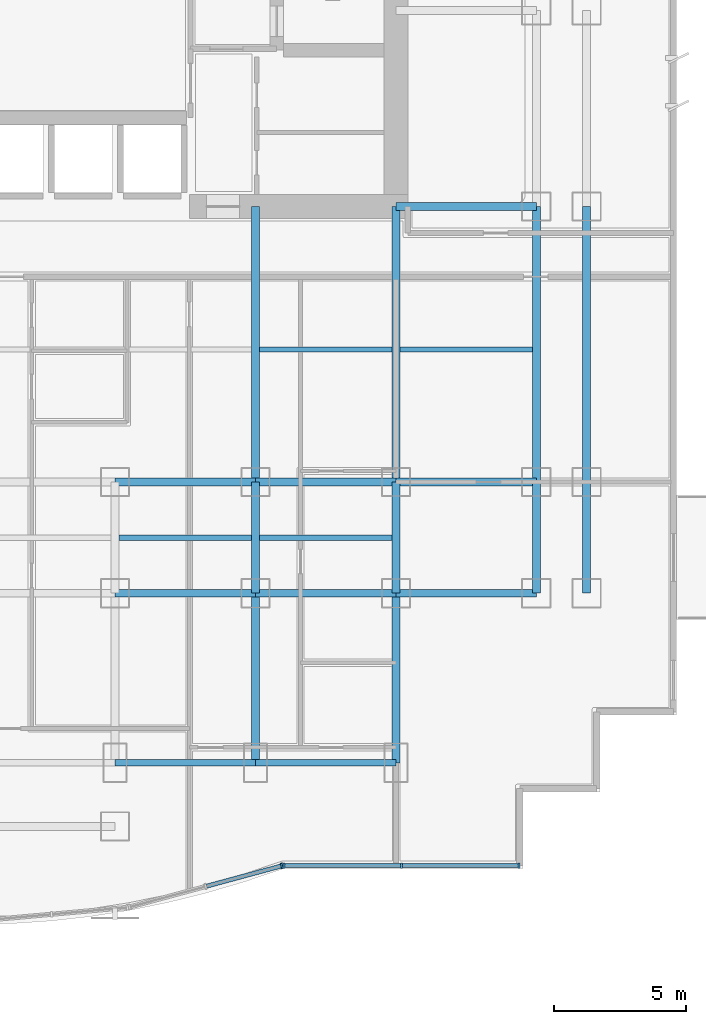
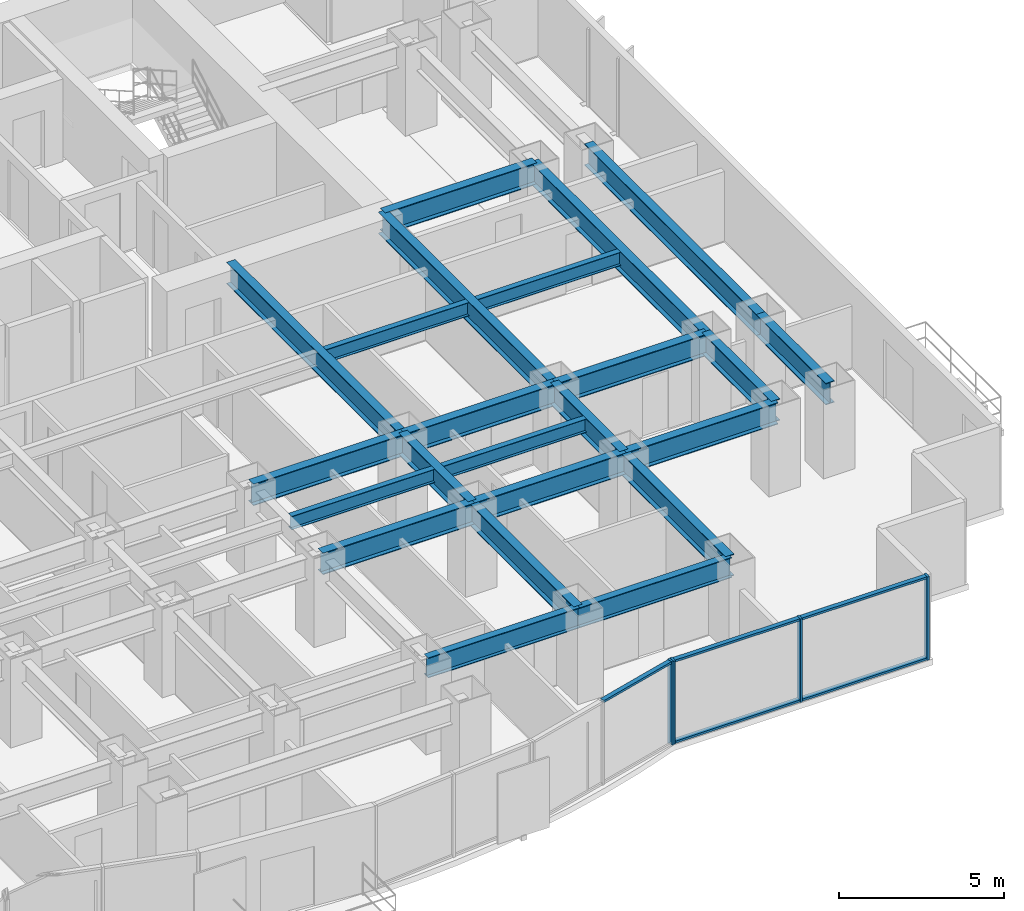
# One storey, part 3 of 10: 23 beams, 9 members, 2 elements without a shape of their own.
"""IFC4 building model written with IfcOpenShell, lengths in metres."""

import ifcopenshell
import ifcopenshell.guid

model = None  # the IFC model being written
_history = None  # IfcOwnerHistory: only IFC2X3 demands one
_inside = {}  # id of a spatial element -> (the spatial element, [elements in it])
_under = {}  # id of a project, library or spatial element -> (it, [spatial elements below it])
_declared = {}  # id of a project -> (the project, [libraries it declares])
_typed = {}  # id of a type object -> (the type object, [elements of that type])
_made_of = {}  # id of a material, layer set ... -> (it, [elements and type objects made of it])


def new_model(schema):
    """Start an empty IFC model of exactly this schema.

    Asked for "IFC4X3", IfcOpenShell would pick the latest addendum, in which some entities
    have other attributes; the version numbers below select the first issue.
    IFC2X3 requires an IfcOwnerHistory on every rooted entity: one is made here for all.
    """
    global model, _history
    if schema == "IFC4X3":
        model = ifcopenshell.file(schema_version=(4, 3, 0, 0))
    else:
        model = ifcopenshell.file(schema=schema)
    _inside.clear()
    _under.clear()
    _declared.clear()
    _typed.clear()
    _made_of.clear()
    _history = None
    if model.schema == "IFC2X3":
        org = make("IfcOrganization", Name="unknown")
        user = make(
            "IfcPersonAndOrganization",
            ThePerson=make("IfcPerson", FamilyName="unknown"),
            TheOrganization=org,
        )
        app = make(
            "IfcApplication",
            ApplicationDeveloper=org,
            Version="unknown",
            ApplicationFullName="unknown",
            ApplicationIdentifier="unknown",
        )
        _history = make(
            "IfcOwnerHistory",
            OwningUser=user,
            OwningApplication=app,
            ChangeAction="ADDED",
            CreationDate=0,
        )
    return model


def make(cls, **values):
    """One entity of the class cls with the attributes given. An attribute that is None is left unset."""
    return model.create_entity(
        cls, **{name: value for name, value in values.items() if value is not None}
    )


def rooted(cls, **values):
    """An entity with a GlobalId (a new one), such as an element, a storey or a relation."""
    return make(cls, GlobalId=ifcopenshell.guid.new(), OwnerHistory=_history, **values)


def si_unit(unit_type, name, prefix=None):
    """IfcSIUnit, for example si_unit("LENGTHUNIT", "METRE", prefix="MILLI")."""
    return make("IfcSIUnit", UnitType=unit_type, Prefix=prefix, Name=name)


def assignment(units):
    """IfcUnitAssignment: the units of a project."""
    return None if units is None else make("IfcUnitAssignment", Units=units)


def point(xyz):
    """IfcCartesianPoint."""
    return None if xyz is None else make("IfcCartesianPoint", Coordinates=xyz)


def direction(xyz):
    """IfcDirection."""
    return None if xyz is None else make("IfcDirection", DirectionRatios=xyz)


def frame(location, z_axis=None, x_axis=None):
    """IfcAxis2Placement3D, a coordinate frame: its origin and axes. An axis left out is left unset."""
    return make(
        "IfcAxis2Placement3D",
        Location=point(location),
        Axis=direction(z_axis),
        RefDirection=direction(x_axis),
    )


def frame_2d(location, x_axis=None):
    """IfcAxis2Placement2D, a coordinate frame in the plane: its origin and x axis."""
    return make(
        "IfcAxis2Placement2D", Location=point(location), RefDirection=direction(x_axis)
    )


def origin():
    """The frame at (0, 0, 0) with its axes left unset."""
    return frame((0.0, 0.0, 0.0))


def origin_2d():
    """The frame at (0, 0) in the plane with its x axis left unset."""
    return frame_2d((0.0, 0.0))


def place(relative_to, where):
    """IfcLocalPlacement: puts the frame where relative to a parent placement (None: the world)."""
    return make(
        "IfcLocalPlacement", PlacementRelTo=relative_to, RelativePlacement=where
    )


def context(
    kind, dimensions, precision=None, world=None, true_north=None, identifier=None
):
    """IfcGeometricRepresentationContext, for example the 3D "Model" context."""
    return make(
        "IfcGeometricRepresentationContext",
        ContextIdentifier=identifier,
        ContextType=kind,
        CoordinateSpaceDimension=dimensions,
        Precision=precision,
        WorldCoordinateSystem=world,
        TrueNorth=true_north,
    )


def subcontext(parent, identifier, kind, view, scale=None):
    """IfcGeometricRepresentationSubContext, for example "Body" below "Model"."""
    return make(
        "IfcGeometricRepresentationSubContext",
        ContextIdentifier=identifier,
        ContextType=kind,
        ParentContext=parent,
        TargetScale=scale,
        TargetView=view,
    )


def project(units=None, contexts=None):
    """IfcProject with its units and contexts."""
    return rooted(
        "IfcProject",
        Name="project",
        RepresentationContexts=contexts,
        UnitsInContext=assignment(units),
    )


def spatial(cls, under=None, at=None, **own):
    """A site, building, storey or space (cls), placed at a placement, below another one or the project."""
    s = rooted(cls, ObjectPlacement=at, **own)
    if under is not None:
        _under.setdefault(under.id(), (under, []))[1].append(s)
    return s


def profile(cls, at=None, kind="AREA", **sizes):
    """A parametric profile (cls). Its sizes go by their IFC names, for example OverallWidth=200.0."""
    return make(cls, ProfileType=kind, Position=at, **sizes)


def rectangle(**sizes):
    """IfcRectangleProfileDef."""
    return profile("IfcRectangleProfileDef", **sizes)


def i_section(**sizes):
    """IfcIShapeProfileDef."""
    return profile("IfcIShapeProfileDef", **sizes)


def extrude(swept, where, along, depth):
    """IfcExtrudedAreaSolid: the profile swept, set in the frame where, extruded along a direction by depth."""
    return make(
        "IfcExtrudedAreaSolid",
        SweptArea=swept,
        Position=where,
        ExtrudedDirection=direction(along),
        Depth=depth,
    )


def shape(context_of_items, identifier, shape_type, items):
    """IfcShapeRepresentation: the items that make up one representation, for example the "Body"."""
    return make(
        "IfcShapeRepresentation",
        ContextOfItems=context_of_items,
        RepresentationIdentifier=identifier,
        RepresentationType=shape_type,
        Items=items,
    )


def source(mapping_origin, context_of_items, identifier, shape_type, items):
    """IfcRepresentationMap: a shape defined once, which mapped items show again and again."""
    return make(
        "IfcRepresentationMap",
        MappingOrigin=mapping_origin,
        MappedRepresentation=shape(context_of_items, identifier, shape_type, items),
    )


def transform(
    local_origin,
    x_axis=None,
    y_axis=None,
    z_axis=None,
    scale=None,
    scale2=None,
    scale3=None,
    uniform=True,
):
    """IfcCartesianTransformationOperator3D, or its non-uniform kind. x_axis, y_axis, z_axis: its Axis1, 2, 3."""
    if uniform:
        return make(
            "IfcCartesianTransformationOperator3D",
            Axis1=direction(x_axis),
            Axis2=direction(y_axis),
            LocalOrigin=point(local_origin),
            Scale=scale,
            Axis3=direction(z_axis),
        )
    return make(
        "IfcCartesianTransformationOperator3DnonUniform",
        Axis1=direction(x_axis),
        Axis2=direction(y_axis),
        LocalOrigin=point(local_origin),
        Scale=scale,
        Axis3=direction(z_axis),
        Scale2=scale2,
        Scale3=scale3,
    )


def mapped(mapping_source, mapping_target):
    """IfcMappedItem: shows the shape of a source again, moved by a transform."""
    return make(
        "IfcMappedItem", MappingSource=mapping_source, MappingTarget=mapping_target
    )


def material(Name=None, Category=None):
    """IfcMaterial."""
    return make("IfcMaterial", Name=Name, Category=Category)


def layer(
    of_material, thickness, ventilated=None, Name=None, Category=None, Priority=None
):
    """IfcMaterialLayer: one layer of a wall or slab, of a material (None: an air gap)."""
    return make(
        "IfcMaterialLayer",
        Material=of_material,
        LayerThickness=thickness,
        IsVentilated=ventilated,
        Name=Name,
        Category=Category,
        Priority=Priority,
    )


def layer_set(layers, Name=None):
    """IfcMaterialLayerSet."""
    return make("IfcMaterialLayerSet", MaterialLayers=layers, LayerSetName=Name)


def material_profile(
    of_material, cross_section, Name=None, Category=None, Priority=None
):
    """IfcMaterialProfile: a cross section and its material."""
    return make(
        "IfcMaterialProfile",
        Name=Name,
        Material=of_material,
        Profile=cross_section,
        Priority=Priority,
        Category=Category,
    )


def profile_set(profiles, Name=None, composite=None):
    """IfcMaterialProfileSet."""
    return make(
        "IfcMaterialProfileSet",
        Name=Name,
        MaterialProfiles=profiles,
        CompositeProfile=composite,
    )


def made_of(thing, what):
    """Note that an element or type object is made of a material, layer set ...; save() writes the relation."""
    if what is not None:
        _made_of.setdefault(what.id(), (what, []))[1].append(thing)
    return thing


def type_object(cls, material=None, **own):
    """A type object (cls), such as IfcWallType, which elements share."""
    return made_of(rooted(cls, **own), material)


def element(
    cls,
    number,
    at=None,
    inside=None,
    cuts=None,
    type_object=None,
    material=None,
    context=None,
    identifier="Body",
    shape_type=None,
    held_by="IfcProductDefinitionShape",
    body=None,
    shapes=None,
    **own,
):
    """One element of the class cls, such as IfcWall. Its Tag is "e" and its number.

    at: its placement. inside: the storey or other place that contains it. cuts: it is an
    opening in that element (IfcRelVoidsElement). A single representation is given by context,
    identifier, shape_type and body (its items); several are given by shapes. held_by: the class
    of the entity that holds the representations. save() writes the other relations.
    """
    e = rooted(cls, Tag="e%d" % number, ObjectPlacement=at, **own)
    if body is not None:
        shapes = [shape(context, identifier, shape_type, body)]
    if shapes is not None:
        e.Representation = make(held_by, Representations=shapes)
    if inside is not None:
        _inside.setdefault(inside.id(), (inside, []))[1].append(e)
    if cuts is not None:
        rooted(
            "IfcRelVoidsElement", RelatingBuildingElement=cuts, RelatedOpeningElement=e
        )
    if type_object is not None:
        _typed.setdefault(type_object.id(), (type_object, []))[1].append(e)
    return made_of(e, material)


def aggregate(whole, parts):
    """IfcRelAggregates: a whole, such as a stair, and the parts it consists of."""
    return rooted("IfcRelAggregates", RelatingObject=whole, RelatedObjects=parts)


def save(model, path):
    """Write the relations noted so far, then the file.

    IfcRelAggregates (storeys below a building ...), IfcRelContainedInSpatialStructure (elements
    in a storey), IfcRelDefinesByType, IfcRelAssociatesMaterial and IfcRelDeclares: one each for
    every whole, place, type object, material and project.
    """
    for whole, parts in _under.values():
        aggregate(whole, parts)
    for where, things in _inside.values():
        rooted(
            "IfcRelContainedInSpatialStructure",
            RelatedElements=things,
            RelatingStructure=where,
        )
    for kind, things in _typed.values():
        rooted("IfcRelDefinesByType", RelatedObjects=things, RelatingType=kind)
    for what, things in _made_of.values():
        rooted("IfcRelAssociatesMaterial", RelatedObjects=things, RelatingMaterial=what)
    for by, libraries in _declared.values():
        rooted("IfcRelDeclares", RelatingContext=by, RelatedDefinitions=libraries)
    model.write(path)


model = new_model("IFC4")

# Units and contexts
model_context = context("Model", 3, precision=1e-05, world=origin(), true_north=direction((0.0, 1.0)))
body_context = subcontext(model_context, "Body", "Model", "MODEL_VIEW")
ifc_project = project(units=[si_unit("LENGTHUNIT", "METRE"), si_unit("AREAUNIT", "SQUARE_METRE"), si_unit("VOLUMEUNIT", "CUBIC_METRE"), si_unit("PLANEANGLEUNIT", "RADIAN"), si_unit("MASSUNIT", "GRAM", prefix="KILO")], contexts=[model_context])

# Site, building, storey
site_placement = place(None, origin())
site = spatial("IfcSite", under=ifc_project, at=site_placement, CompositionType="ELEMENT")
building_placement = place(site_placement, origin())
building = spatial("IfcBuilding", under=site, at=building_placement, Name="Qianlan Lanfeng Residences", CompositionType="ELEMENT")
storey_placement = place(building_placement, frame((0.0, 0.0, 50.60009765625)))
storey = spatial("IfcBuildingStorey", under=building, at=storey_placement, Name="L13", CompositionType="ELEMENT", Elevation=50.60009765625)

# Beams
ifc_material_1 = material(Name="Steel SN490B", Category="steel")
ifc_material_profile_1 = material_profile(ifc_material_1, i_section(OverallWidth=0.300048828125, OverallDepth=0.800048828125, WebThickness=0.01611328125, FlangeThickness=0.028076171875, at=origin_2d()), Name="H 800x300x16x28")
ifc_profile_set_1 = profile_set([ifc_material_profile_1], Name="Steel SN490B")
beam_type_1 = type_object("IfcBeamType", Name="G-950", PredefinedType="BEAM", material=ifc_profile_set_1)
beam_1_placement = place(storey_placement, frame((31.800048828125, 10.60009765625, 2.679931640625), z_axis=(1.0, 0.0, 0.0), x_axis=(0.0, 1.0, 0.0)))
element("IfcBeam", 1, at=beam_1_placement, inside=storey, type_object=beam_type_1, Name="Structural beam G-950", PredefinedType="BEAM", context=body_context, shape_type="SweptSolid", body=[
    extrude(i_section(OverallWidth=0.300048828125, OverallDepth=0.800048828125, WebThickness=0.01611328125, FlangeThickness=0.028076171875, at=origin_2d()), origin(), (0.0, 0.0, 1.0), 5.300048828125),
])
beam_2_placement = place(storey_placement, frame((37.10009765625, 10.60009765625, 2.679931640625), z_axis=(1.0, 0.0, 0.0), x_axis=(0.0, 1.0, 0.0)))
element("IfcBeam", 2, at=beam_2_placement, inside=storey, type_object=beam_type_1, Name="Structural beam G-950", PredefinedType="BEAM", context=body_context, shape_type="SweptSolid", body=[
    extrude(i_section(OverallWidth=0.300048828125, OverallDepth=0.800048828125, WebThickness=0.01611328125, FlangeThickness=0.028076171875, at=origin_2d()), origin(), (0.0, 0.0, 1.0), 5.2998046875),
])
for number, where, z_axis, x_axis, name in (
    (3, (42.39990234375, 10.60009765625, 2.679931640625), (1.0, 0.0, 0.0), (0.0, 1.0, 0.0), "Structural beam G-950"),
    (4, (31.800048828125, 14.800048828125, 2.679931640625), (1.0, 0.0, 0.0), (0.0, 1.0, 0.0), "Structural beam G-950"),
):
    element("IfcBeam", number, at=place(storey_placement, frame(where, z_axis=z_axis, x_axis=x_axis)), inside=storey, type_object=beam_type_1, Name=name, PredefinedType="BEAM", context=body_context, shape_type="SweptSolid", body=[
        extrude(i_section(OverallWidth=0.300048828125, OverallDepth=0.800048828125, WebThickness=0.01611328125, FlangeThickness=0.028076171875, at=origin_2d()), origin(), (0.0, 0.0, 1.0), 5.300048828125),
    ])
beam_3_placement = place(storey_placement, frame((37.10009765625, 14.800048828125, 2.679931640625), z_axis=(1.0, 0.0, 0.0), x_axis=(0.0, 1.0, 0.0)))
element("IfcBeam", 5, at=beam_3_placement, inside=storey, type_object=beam_type_1, Name="Structural beam G-950", PredefinedType="BEAM", context=body_context, shape_type="SweptSolid", body=[
    extrude(i_section(OverallWidth=0.300048828125, OverallDepth=0.800048828125, WebThickness=0.01611328125, FlangeThickness=0.028076171875, at=origin_2d()), origin(), (0.0, 0.0, 1.0), 5.2998046875),
])
for number, where, z_axis, x_axis, name in (
    (6, (42.39990234375, 14.800048828125, 2.679931640625), (1.0, 0.0, 0.0), (0.0, 1.0, 0.0), "Structural beam G-950"),
    (7, (42.39990234375, 25.199951171875, 2.679931640625), (1.0, 0.0, 0.0), (0.0, 1.0, 0.0), "Structural beam G-950"),
):
    element("IfcBeam", number, at=place(storey_placement, frame(where, z_axis=z_axis, x_axis=x_axis)), inside=storey, type_object=beam_type_1, Name=name, PredefinedType="BEAM", context=body_context, shape_type="SweptSolid", body=[
        extrude(i_section(OverallWidth=0.300048828125, OverallDepth=0.800048828125, WebThickness=0.01611328125, FlangeThickness=0.028076171875, at=origin_2d()), origin(), (0.0, 0.0, 1.0), 5.300048828125),
    ])
beam_4_placement = place(storey_placement, frame((37.10009765625, 4.199951171875, 2.679931640625), z_axis=(0.0, 1.0, 0.0), x_axis=(-1.0, 0.0, 0.0)))
element("IfcBeam", 8, at=beam_4_placement, inside=storey, type_object=beam_type_1, Name="Structural beam G-950", PredefinedType="BEAM", context=body_context, shape_type="SweptSolid", body=[
    extrude(i_section(OverallWidth=0.300048828125, OverallDepth=0.800048828125, WebThickness=0.01611328125, FlangeThickness=0.028076171875, at=origin_2d()), origin(), (0.0, 0.0, 1.0), 6.400146484375),
])
beam_5_placement = place(storey_placement, frame((37.10009765625, 10.60009765625, 2.679931640625), z_axis=(0.0, 1.0, 0.0), x_axis=(-1.0, 0.0, 0.0)))
element("IfcBeam", 9, at=beam_5_placement, inside=storey, type_object=beam_type_1, Name="Structural beam G-950", PredefinedType="BEAM", context=body_context, shape_type="SweptSolid", body=[
    extrude(i_section(OverallWidth=0.300048828125, OverallDepth=0.800048828125, WebThickness=0.01611328125, FlangeThickness=0.028076171875, at=origin_2d()), origin(), (0.0, 0.0, 1.0), 4.199951171875),
])
beam_6_placement = place(storey_placement, frame((37.10009765625, 14.800048828125, 2.679931640625), z_axis=(0.0, 1.0, 0.0), x_axis=(-1.0, 0.0, 0.0)))
element("IfcBeam", 10, at=beam_6_placement, inside=storey, type_object=beam_type_1, Name="Structural beam G-950", PredefinedType="BEAM", context=body_context, shape_type="SweptSolid", body=[
    extrude(i_section(OverallWidth=0.300048828125, OverallDepth=0.800048828125, WebThickness=0.01611328125, FlangeThickness=0.028076171875, at=origin_2d()), origin(), (0.0, 0.0, 1.0), 10.39990234375),
])
beam_7_placement = place(storey_placement, frame((42.39990234375, 4.199951171875, 2.679931640625), z_axis=(0.0, 1.0, 0.0), x_axis=(-1.0, 0.0, 0.0)))
element("IfcBeam", 11, at=beam_7_placement, inside=storey, type_object=beam_type_1, Name="Structural beam G-950", PredefinedType="BEAM", context=body_context, shape_type="SweptSolid", body=[
    extrude(i_section(OverallWidth=0.300048828125, OverallDepth=0.800048828125, WebThickness=0.01611328125, FlangeThickness=0.028076171875, at=origin_2d()), origin(), (0.0, 0.0, 1.0), 6.400146484375),
])
beam_8_placement = place(storey_placement, frame((42.39990234375, 10.60009765625, 2.679931640625), z_axis=(0.0, 1.0, 0.0), x_axis=(-1.0, 0.0, 0.0)))
element("IfcBeam", 12, at=beam_8_placement, inside=storey, type_object=beam_type_1, Name="Structural beam G-950", PredefinedType="BEAM", context=body_context, shape_type="SweptSolid", body=[
    extrude(i_section(OverallWidth=0.300048828125, OverallDepth=0.800048828125, WebThickness=0.01611328125, FlangeThickness=0.028076171875, at=origin_2d()), origin(), (0.0, 0.0, 1.0), 4.199951171875),
])
beam_9_placement = place(storey_placement, frame((42.39990234375, 14.800048828125, 2.679931640625), z_axis=(0.0, 1.0, 0.0), x_axis=(-1.0, 0.0, 0.0)))
element("IfcBeam", 13, at=beam_9_placement, inside=storey, type_object=beam_type_1, Name="Structural beam G-950", PredefinedType="BEAM", context=body_context, shape_type="SweptSolid", body=[
    extrude(i_section(OverallWidth=0.300048828125, OverallDepth=0.800048828125, WebThickness=0.01611328125, FlangeThickness=0.028076171875, at=origin_2d()), origin(), (0.0, 0.0, 1.0), 10.39990234375),
])
beam_10_placement = place(storey_placement, frame((47.699951171875, 10.60009765625, 2.679931640625), z_axis=(0.0, 1.0, 0.0), x_axis=(-1.0, 0.0, 0.0)))
element("IfcBeam", 14, at=beam_10_placement, inside=storey, type_object=beam_type_1, Name="Structural beam G-950", PredefinedType="BEAM", context=body_context, shape_type="SweptSolid", body=[
    extrude(i_section(OverallWidth=0.300048828125, OverallDepth=0.800048828125, WebThickness=0.01611328125, FlangeThickness=0.028076171875, at=origin_2d()), origin(), (0.0, 0.0, 1.0), 4.199951171875),
])
beam_11_placement = place(storey_placement, frame((47.699951171875, 14.800048828125, 2.679931640625), z_axis=(0.0, 1.0, 0.0), x_axis=(-1.0, 0.0, 0.0)))
element("IfcBeam", 15, at=beam_11_placement, inside=storey, type_object=beam_type_1, Name="Structural beam G-950", PredefinedType="BEAM", context=body_context, shape_type="SweptSolid", body=[
    extrude(i_section(OverallWidth=0.300048828125, OverallDepth=0.800048828125, WebThickness=0.01611328125, FlangeThickness=0.028076171875, at=origin_2d()), origin(), (0.0, 0.0, 1.0), 10.39990234375),
])
beam_12_placement = place(storey_placement, frame((49.60009765625, 10.60009765625, 2.679931640625), z_axis=(0.0, 1.0, 0.0), x_axis=(-1.0, 0.0, 0.0)))
element("IfcBeam", 16, at=beam_12_placement, inside=storey, type_object=beam_type_1, Name="Structural beam G-950", PredefinedType="BEAM", context=body_context, shape_type="SweptSolid", body=[
    extrude(i_section(OverallWidth=0.300048828125, OverallDepth=0.800048828125, WebThickness=0.01611328125, FlangeThickness=0.028076171875, at=origin_2d()), origin(), (0.0, 0.0, 1.0), 4.199951171875),
])
beam_13_placement = place(storey_placement, frame((49.60009765625, 14.800048828125, 2.679931640625), z_axis=(0.0, 1.0, 0.0), x_axis=(-1.0, 0.0, 0.0)))
element("IfcBeam", 17, at=beam_13_placement, inside=storey, type_object=beam_type_1, Name="Structural beam G-950", PredefinedType="BEAM", context=body_context, shape_type="SweptSolid", body=[
    extrude(i_section(OverallWidth=0.300048828125, OverallDepth=0.800048828125, WebThickness=0.01611328125, FlangeThickness=0.028076171875, at=origin_2d()), origin(), (0.0, 0.0, 1.0), 10.39990234375),
])
ifc_material_profile_2 = material_profile(ifc_material_1, i_section(OverallWidth=0.199951171875, OverallDepth=0.5, WebThickness=0.010009765625, FlangeThickness=0.01611328125, at=origin_2d()), Name="H 500x200x10x16")
ifc_profile_set_2 = profile_set([ifc_material_profile_2], Name="Steel SN490B")
beam_type_2 = type_object("IfcBeamType", Name="J-500", PredefinedType="JOIST", material=ifc_profile_set_2)
for number, where, z_axis, x_axis, name in (
    (18, (31.949951171875, 12.699951171875, 2.829833984375), (1.0, 0.0, 0.0), (0.0, 1.0, 0.0), "Structural beam J-500"),
    (19, (37.25, 12.699951171875, 2.829833984375), (1.0, 0.0, 0.0), (0.0, 1.0, 0.0), "Structural beam J-500"),
    (20, (37.25, 19.800048828125, 2.829833984375), (1.0, 0.0, 0.0), (0.0, 1.0, 0.0), "Structural beam J-500"),
    (21, (42.550048828125, 19.800048828125, 2.829833984375), (1.0, 0.0, 0.0), (0.0, 1.0, 0.0), "Structural beam J-500"),
):
    element("IfcBeam", number, at=place(storey_placement, frame(where, z_axis=z_axis, x_axis=x_axis)), inside=storey, type_object=beam_type_2, Name=name, PredefinedType="JOIST", context=body_context, shape_type="SweptSolid", body=[
        extrude(i_section(OverallWidth=0.199951171875, OverallDepth=0.5, WebThickness=0.010009765625, FlangeThickness=0.01611328125, at=origin_2d()), origin(), (0.0, 0.0, 1.0), 5.0),
    ])
ifc_material_profile_3 = material_profile(ifc_material_1, i_section(OverallWidth=0.25, OverallDepth=0.75, WebThickness=0.013916015625, FlangeThickness=0.02490234375, at=origin_2d()), Name="H 750x250x14x25")
ifc_profile_set_3 = profile_set([ifc_material_profile_3], Name="Steel SN490B")
beam_type_3 = type_object("IfcBeamType", Name="SG-850", PredefinedType="SPANDREL", material=ifc_profile_set_3)
beam_14_placement = place(storey_placement, frame((31.800048828125, 4.199951171875, 2.704833984375), z_axis=(1.0, 0.0, 0.0), x_axis=(0.0, 1.0, 0.0)))
element("IfcBeam", 22, at=beam_14_placement, inside=storey, type_object=beam_type_3, Name="Structural beam SG-850", PredefinedType="SPANDREL", context=body_context, shape_type="SweptSolid", body=[
    extrude(i_section(OverallWidth=0.25, OverallDepth=0.75, WebThickness=0.013916015625, FlangeThickness=0.02490234375, at=origin_2d()), origin(), (0.0, 0.0, 1.0), 5.300048828125),
])
beam_15_placement = place(storey_placement, frame((37.10009765625, 4.199951171875, 2.704833984375), z_axis=(1.0, 0.0, 0.0), x_axis=(0.0, 1.0, 0.0)))
element("IfcBeam", 23, at=beam_15_placement, inside=storey, type_object=beam_type_3, Name="Structural beam SG-850", PredefinedType="SPANDREL", context=body_context, shape_type="SweptSolid", body=[
    extrude(i_section(OverallWidth=0.25, OverallDepth=0.75, WebThickness=0.013916015625, FlangeThickness=0.02490234375, at=origin_2d()), origin(), (0.0, 0.0, 1.0), 5.2998046875),
])

# Curtain wall, member
ifc_material_2 = material(Name="Anodised Bronze Aluminium 6063-T6", Category="aluminium")
ifc_layer = layer(ifc_material_2, 0.219970703125)
ifc_layer_set = layer_set([ifc_layer], Name="Anodised Bronze Aluminium 6063-T6")
curtain_wall_type = type_object("IfcCurtainWallType", Name="CW-02", PredefinedType="NOTDEFINED", material=ifc_layer_set)
curtain_wall_1_placement = place(storey_placement, origin())
curtain_wall_1 = element("IfcCurtainWall", 24, at=curtain_wall_1_placement, inside=storey, type_object=curtain_wall_type, Name="L13 Unitised Curtain Wall CWR-L13-04 (CW-02)", PredefinedType="NOTDEFINED")
ifc_material_profile_4 = material_profile(ifc_material_2, rectangle(XDim=0.080078125, YDim=0.159912109375, at=origin_2d()), Name="ALU TRANSOM 80x160")
ifc_profile_set_4 = profile_set([ifc_material_profile_4], Name="Anodised Bronze Aluminium 6063-T6")
member_type_1 = type_object("IfcMemberType", Name="CWT-180", PredefinedType="USERDEFINED", material=ifc_profile_set_4)
shared_shape_1 = source(origin(), body_context, "Body", "SweptSolid", [
    extrude(rectangle(XDim=0.080078125, YDim=0.159912109375, at=origin_2d()), origin(), (0.0, 0.0, 1.0), 2.897705078125),
])
member_1_placement = place(storey_placement, frame((35.255615234375, -0.4580078125, 3.039794921875), z_axis=(0.965267548724, 0.261263390817, 0.0), x_axis=(0.0, 0.0, 1.0)))
member_1 = element("IfcMember", 25, at=member_1_placement, type_object=member_type_1, Name="CWR-L13-04 Transom 2-TOP", ObjectType="TRANSOM", PredefinedType="USERDEFINED", context=body_context, shape_type="MappedRepresentation", body=[
    mapped(shared_shape_1, transform((0.0, 0.0, 0.0), scale=1.0)),
])

# Curtain wall, members
curtain_wall_2_placement = place(storey_placement, origin())
curtain_wall_2 = element("IfcCurtainWall", 26, at=curtain_wall_2_placement, inside=storey, type_object=curtain_wall_type, Name="L13 Unitised Curtain Wall CWR-L13-05 (CW-02)", PredefinedType="NOTDEFINED")
shared_shape_2 = source(origin(), body_context, "Body", "SweptSolid", [
    extrude(rectangle(XDim=0.080078125, YDim=0.159912109375, at=origin_2d()), origin(), (0.0, 0.0, 1.0), 4.35498046875),
])
member_2_placement = place(storey_placement, frame((38.2099609375, 0.320068359375, 0.039794921875), z_axis=(1.0, 0.0, 0.0), x_axis=(0.0, 0.0, 1.0)))
member_2 = element("IfcMember", 27, at=member_2_placement, type_object=member_type_1, Name="CWR-L13-05 Transom 1-BOT", ObjectType="TRANSOM", PredefinedType="USERDEFINED", context=body_context, shape_type="MappedRepresentation", body=[
    mapped(shared_shape_2, transform((0.0, 0.0, 0.0), scale=1.0)),
])
member_3_placement = place(storey_placement, frame((38.2099609375, 0.320068359375, 3.039794921875), z_axis=(1.0, 0.0, 0.0), x_axis=(0.0, 0.0, 1.0)))
member_3 = element("IfcMember", 28, at=member_3_placement, type_object=member_type_1, Name="CWR-L13-05 Transom 1-TOP", ObjectType="TRANSOM", PredefinedType="USERDEFINED", context=body_context, shape_type="MappedRepresentation", body=[
    mapped(shared_shape_2, transform((0.0, 0.0, 0.0), scale=1.0)),
])
member_4_placement = place(storey_placement, frame((42.64501953125, 0.320068359375, 0.039794921875), z_axis=(1.0, 0.0, 0.0), x_axis=(0.0, 0.0, 1.0)))
member_4 = element("IfcMember", 29, at=member_4_placement, type_object=member_type_1, Name="CWR-L13-05 Transom 2-BOT", ObjectType="TRANSOM", PredefinedType="USERDEFINED", context=body_context, shape_type="MappedRepresentation", body=[
    mapped(shared_shape_2, transform((0.0, 0.0, 0.0), scale=1.0)),
])
member_5_placement = place(storey_placement, frame((42.64501953125, 0.320068359375, 3.039794921875), z_axis=(1.0, 0.0, 0.0), x_axis=(0.0, 0.0, 1.0)))
member_5 = element("IfcMember", 30, at=member_5_placement, type_object=member_type_1, Name="CWR-L13-05 Transom 2-TOP", ObjectType="TRANSOM", PredefinedType="USERDEFINED", context=body_context, shape_type="MappedRepresentation", body=[
    mapped(shared_shape_2, transform((0.0, 0.0, 0.0), scale=1.0)),
])

# Member
ifc_material_profile_5 = material_profile(ifc_material_2, rectangle(XDim=0.080078125, YDim=0.2099609375, at=origin_2d()), Name="ALU MULLION 80x210")
ifc_profile_set_5 = profile_set([ifc_material_profile_5], Name="Anodised Bronze Aluminium 6063-T6")
member_type_2 = type_object("IfcMemberType", Name="CWM-220", PredefinedType="MULLION", material=ifc_profile_set_5)
shared_shape_3 = source(origin(), body_context, "Body", "SweptSolid", [
    extrude(rectangle(XDim=0.080078125, YDim=0.2099609375, at=origin_2d()), origin(), (0.0, 0.0, 1.0), 3.079833984375),
])
member_6_placement = place(storey_placement, frame((38.09130859375, 0.3095703125, 0.0), z_axis=(0.0, 0.0, 1.0), x_axis=(0.9652627173, 0.261281240412, 0.0)))
member_6 = element("IfcMember", 31, at=member_6_placement, type_object=member_type_2, Name="CWR-L13-04 Mullion 3", PredefinedType="MULLION", context=body_context, shape_type="MappedRepresentation", body=[
    mapped(shared_shape_3, transform((0.0, 0.0, 0.0), scale=1.0)),
])

aggregate(curtain_wall_1, [member_6, member_1])

member_7_placement = place(storey_placement, frame((38.169921875, 0.320068359375, 0.0), z_axis=(0.0, 0.0, 1.0), x_axis=(1.0, 0.0, 0.0)))
member_7 = element("IfcMember", 32, at=member_7_placement, type_object=member_type_2, Name="CWR-L13-05 Mullion 1", PredefinedType="MULLION", context=body_context, shape_type="MappedRepresentation", body=[
    mapped(shared_shape_3, transform((0.0, 0.0, 0.0), scale=1.0)),
])

member_8_placement = place(storey_placement, frame((42.60498046875, 0.320068359375, 0.0), z_axis=(0.0, 0.0, 1.0), x_axis=(1.0, 0.0, 0.0)))
member_8 = element("IfcMember", 33, at=member_8_placement, type_object=member_type_2, Name="CWR-L13-05 Mullion 2", PredefinedType="MULLION", context=body_context, shape_type="MappedRepresentation", body=[
    mapped(shared_shape_3, transform((0.0, 0.0, 0.0), scale=1.0)),
])

member_9_placement = place(storey_placement, frame((47.0400390625, 0.320068359375, 0.0), z_axis=(0.0, 0.0, 1.0), x_axis=(1.0, 0.0, 0.0)))
member_9 = element("IfcMember", 34, at=member_9_placement, type_object=member_type_2, Name="CWR-L13-05 Mullion 3", PredefinedType="MULLION", context=body_context, shape_type="MappedRepresentation", body=[
    mapped(shared_shape_3, transform((0.0, 0.0, 0.0), scale=1.0)),
])

aggregate(curtain_wall_2, [member_7, member_8, member_9, member_2, member_3, member_4, member_5])

save(model, "model.ifc")
